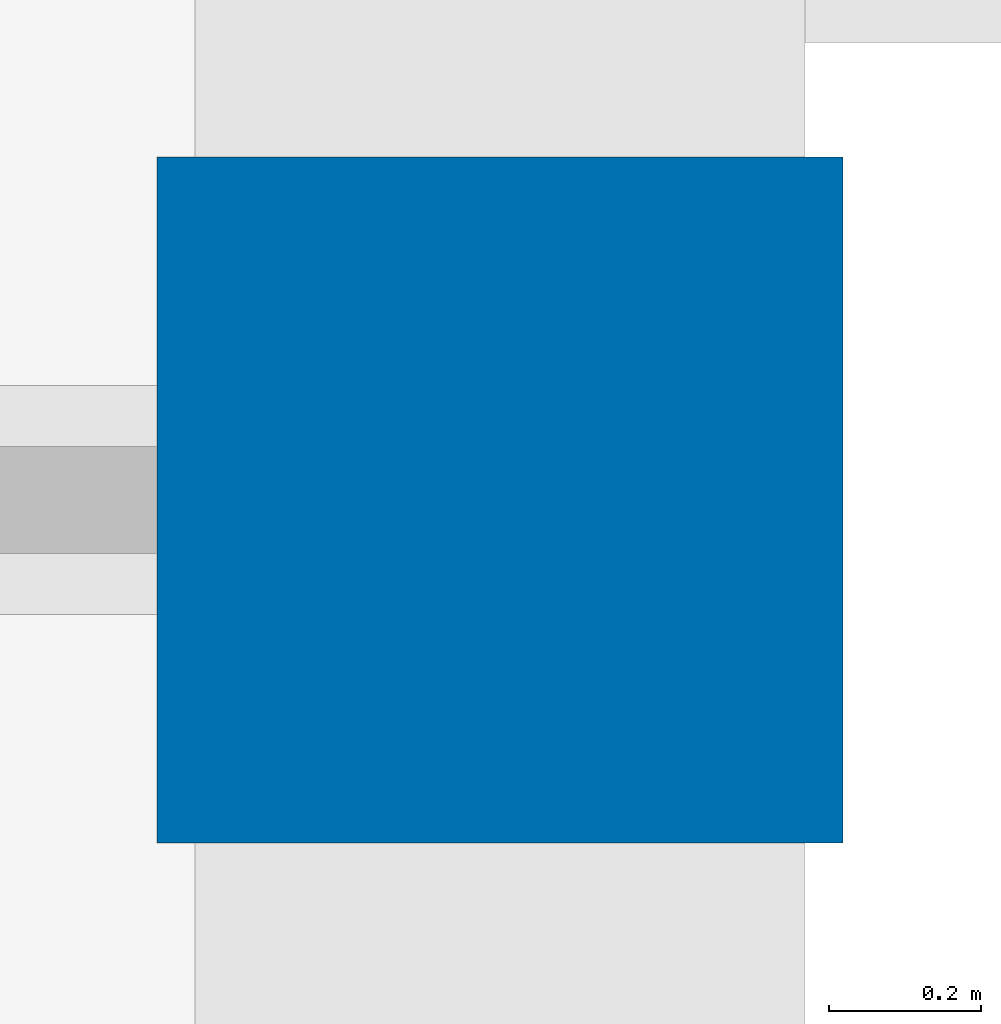
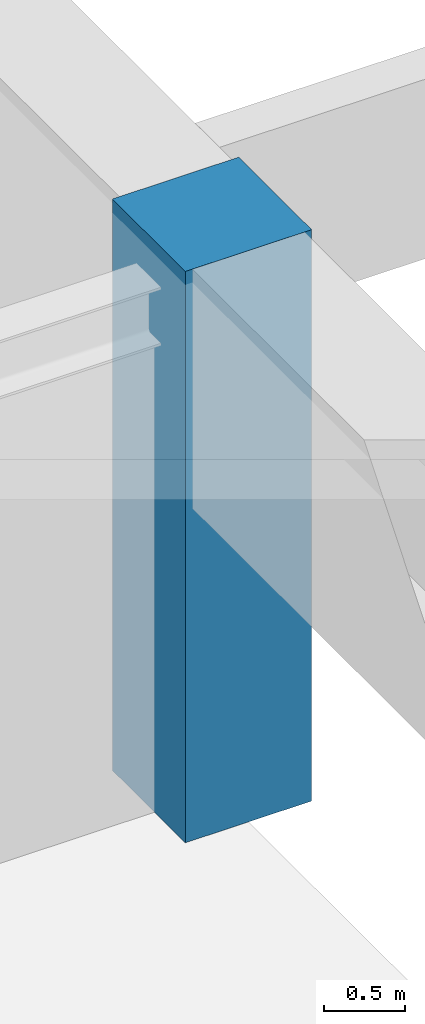
# One storey, part 11 of 111: 1 column.
"""IFC4 building model written with IfcOpenShell, lengths in metres."""

import ifcopenshell
import ifcopenshell.guid

model = None  # the IFC model being written
_history = None  # IfcOwnerHistory: only IFC2X3 demands one
_inside = {}  # id of a spatial element -> (the spatial element, [elements in it])
_under = {}  # id of a project, library or spatial element -> (it, [spatial elements below it])
_declared = {}  # id of a project -> (the project, [libraries it declares])
_typed = {}  # id of a type object -> (the type object, [elements of that type])
_made_of = {}  # id of a material, layer set ... -> (it, [elements and type objects made of it])


def new_model(schema):
    """Start an empty IFC model of exactly this schema.

    Asked for "IFC4X3", IfcOpenShell would pick the latest addendum, in which some entities
    have other attributes; the version numbers below select the first issue.
    IFC2X3 requires an IfcOwnerHistory on every rooted entity: one is made here for all.
    """
    global model, _history
    if schema == "IFC4X3":
        model = ifcopenshell.file(schema_version=(4, 3, 0, 0))
    else:
        model = ifcopenshell.file(schema=schema)
    _inside.clear()
    _under.clear()
    _declared.clear()
    _typed.clear()
    _made_of.clear()
    _history = None
    if model.schema == "IFC2X3":
        org = make("IfcOrganization", Name="unknown")
        user = make(
            "IfcPersonAndOrganization",
            ThePerson=make("IfcPerson", FamilyName="unknown"),
            TheOrganization=org,
        )
        app = make(
            "IfcApplication",
            ApplicationDeveloper=org,
            Version="unknown",
            ApplicationFullName="unknown",
            ApplicationIdentifier="unknown",
        )
        _history = make(
            "IfcOwnerHistory",
            OwningUser=user,
            OwningApplication=app,
            ChangeAction="ADDED",
            CreationDate=0,
        )
    return model


def make(cls, **values):
    """One entity of the class cls with the attributes given. An attribute that is None is left unset."""
    return model.create_entity(
        cls, **{name: value for name, value in values.items() if value is not None}
    )


def rooted(cls, **values):
    """An entity with a GlobalId (a new one), such as an element, a storey or a relation."""
    return make(cls, GlobalId=ifcopenshell.guid.new(), OwnerHistory=_history, **values)


def si_unit(unit_type, name, prefix=None):
    """IfcSIUnit, for example si_unit("LENGTHUNIT", "METRE", prefix="MILLI")."""
    return make("IfcSIUnit", UnitType=unit_type, Prefix=prefix, Name=name)


def assignment(units):
    """IfcUnitAssignment: the units of a project."""
    return None if units is None else make("IfcUnitAssignment", Units=units)


def point(xyz):
    """IfcCartesianPoint."""
    return None if xyz is None else make("IfcCartesianPoint", Coordinates=xyz)


def direction(xyz):
    """IfcDirection."""
    return None if xyz is None else make("IfcDirection", DirectionRatios=xyz)


def frame(location, z_axis=None, x_axis=None):
    """IfcAxis2Placement3D, a coordinate frame: its origin and axes. An axis left out is left unset."""
    return make(
        "IfcAxis2Placement3D",
        Location=point(location),
        Axis=direction(z_axis),
        RefDirection=direction(x_axis),
    )


def frame_2d(location, x_axis=None):
    """IfcAxis2Placement2D, a coordinate frame in the plane: its origin and x axis."""
    return make(
        "IfcAxis2Placement2D", Location=point(location), RefDirection=direction(x_axis)
    )


def origin():
    """The frame at (0, 0, 0) with its axes left unset."""
    return frame((0.0, 0.0, 0.0))


def origin_2d():
    """The frame at (0, 0) in the plane with its x axis left unset."""
    return frame_2d((0.0, 0.0))


def place(relative_to, where):
    """IfcLocalPlacement: puts the frame where relative to a parent placement (None: the world)."""
    return make(
        "IfcLocalPlacement", PlacementRelTo=relative_to, RelativePlacement=where
    )


def context(
    kind, dimensions, precision=None, world=None, true_north=None, identifier=None
):
    """IfcGeometricRepresentationContext, for example the 3D "Model" context."""
    return make(
        "IfcGeometricRepresentationContext",
        ContextIdentifier=identifier,
        ContextType=kind,
        CoordinateSpaceDimension=dimensions,
        Precision=precision,
        WorldCoordinateSystem=world,
        TrueNorth=true_north,
    )


def subcontext(parent, identifier, kind, view, scale=None):
    """IfcGeometricRepresentationSubContext, for example "Body" below "Model"."""
    return make(
        "IfcGeometricRepresentationSubContext",
        ContextIdentifier=identifier,
        ContextType=kind,
        ParentContext=parent,
        TargetScale=scale,
        TargetView=view,
    )


def project(units=None, contexts=None):
    """IfcProject with its units and contexts."""
    return rooted(
        "IfcProject",
        Name="project",
        RepresentationContexts=contexts,
        UnitsInContext=assignment(units),
    )


def spatial(cls, under=None, at=None, **own):
    """A site, building, storey or space (cls), placed at a placement, below another one or the project."""
    s = rooted(cls, ObjectPlacement=at, **own)
    if under is not None:
        _under.setdefault(under.id(), (under, []))[1].append(s)
    return s


def profile(cls, at=None, kind="AREA", **sizes):
    """A parametric profile (cls). Its sizes go by their IFC names, for example OverallWidth=200.0."""
    return make(cls, ProfileType=kind, Position=at, **sizes)


def rectangle(**sizes):
    """IfcRectangleProfileDef."""
    return profile("IfcRectangleProfileDef", **sizes)


def extrude(swept, where, along, depth):
    """IfcExtrudedAreaSolid: the profile swept, set in the frame where, extruded along a direction by depth."""
    return make(
        "IfcExtrudedAreaSolid",
        SweptArea=swept,
        Position=where,
        ExtrudedDirection=direction(along),
        Depth=depth,
    )


def shape(context_of_items, identifier, shape_type, items):
    """IfcShapeRepresentation: the items that make up one representation, for example the "Body"."""
    return make(
        "IfcShapeRepresentation",
        ContextOfItems=context_of_items,
        RepresentationIdentifier=identifier,
        RepresentationType=shape_type,
        Items=items,
    )


def material(Name=None, Category=None):
    """IfcMaterial."""
    return make("IfcMaterial", Name=Name, Category=Category)


def material_profile(
    of_material, cross_section, Name=None, Category=None, Priority=None
):
    """IfcMaterialProfile: a cross section and its material."""
    return make(
        "IfcMaterialProfile",
        Name=Name,
        Material=of_material,
        Profile=cross_section,
        Priority=Priority,
        Category=Category,
    )


def profile_set(profiles, Name=None, composite=None):
    """IfcMaterialProfileSet."""
    return make(
        "IfcMaterialProfileSet",
        Name=Name,
        MaterialProfiles=profiles,
        CompositeProfile=composite,
    )


def made_of(thing, what):
    """Note that an element or type object is made of a material, layer set ...; save() writes the relation."""
    if what is not None:
        _made_of.setdefault(what.id(), (what, []))[1].append(thing)
    return thing


def type_object(cls, material=None, **own):
    """A type object (cls), such as IfcWallType, which elements share."""
    return made_of(rooted(cls, **own), material)


def element(
    cls,
    number,
    at=None,
    inside=None,
    cuts=None,
    type_object=None,
    material=None,
    context=None,
    identifier="Body",
    shape_type=None,
    held_by="IfcProductDefinitionShape",
    body=None,
    shapes=None,
    **own,
):
    """One element of the class cls, such as IfcWall. Its Tag is "e" and its number.

    at: its placement. inside: the storey or other place that contains it. cuts: it is an
    opening in that element (IfcRelVoidsElement). A single representation is given by context,
    identifier, shape_type and body (its items); several are given by shapes. held_by: the class
    of the entity that holds the representations. save() writes the other relations.
    """
    e = rooted(cls, Tag="e%d" % number, ObjectPlacement=at, **own)
    if body is not None:
        shapes = [shape(context, identifier, shape_type, body)]
    if shapes is not None:
        e.Representation = make(held_by, Representations=shapes)
    if inside is not None:
        _inside.setdefault(inside.id(), (inside, []))[1].append(e)
    if cuts is not None:
        rooted(
            "IfcRelVoidsElement", RelatingBuildingElement=cuts, RelatedOpeningElement=e
        )
    if type_object is not None:
        _typed.setdefault(type_object.id(), (type_object, []))[1].append(e)
    return made_of(e, material)


def aggregate(whole, parts):
    """IfcRelAggregates: a whole, such as a stair, and the parts it consists of."""
    return rooted("IfcRelAggregates", RelatingObject=whole, RelatedObjects=parts)


def save(model, path):
    """Write the relations noted so far, then the file.

    IfcRelAggregates (storeys below a building ...), IfcRelContainedInSpatialStructure (elements
    in a storey), IfcRelDefinesByType, IfcRelAssociatesMaterial and IfcRelDeclares: one each for
    every whole, place, type object, material and project.
    """
    for whole, parts in _under.values():
        aggregate(whole, parts)
    for where, things in _inside.values():
        rooted(
            "IfcRelContainedInSpatialStructure",
            RelatedElements=things,
            RelatingStructure=where,
        )
    for kind, things in _typed.values():
        rooted("IfcRelDefinesByType", RelatedObjects=things, RelatingType=kind)
    for what, things in _made_of.values():
        rooted("IfcRelAssociatesMaterial", RelatedObjects=things, RelatingMaterial=what)
    for by, libraries in _declared.values():
        rooted("IfcRelDeclares", RelatingContext=by, RelatedDefinitions=libraries)
    model.write(path)


model = new_model("IFC4")

# Units and contexts
model_context = context("Model", 3, precision=1e-05, world=origin(), true_north=direction((0.0, 1.0)))
body_context = subcontext(model_context, "Body", "Model", "MODEL_VIEW")
ifc_project = project(units=[si_unit("LENGTHUNIT", "METRE"), si_unit("AREAUNIT", "SQUARE_METRE"), si_unit("VOLUMEUNIT", "CUBIC_METRE"), si_unit("PLANEANGLEUNIT", "RADIAN"), si_unit("MASSUNIT", "GRAM", prefix="KILO")], contexts=[model_context])

# Site, building, storey
site_placement = place(None, origin())
site = spatial("IfcSite", under=ifc_project, at=site_placement, CompositionType="ELEMENT")
building_placement = place(site_placement, origin())
building = spatial("IfcBuilding", under=site, at=building_placement, Name="Zlatovratsky Civic Hall", CompositionType="ELEMENT")
storey_placement = place(building_placement, frame((0.0, 0.0, 16.5)))
storey = spatial("IfcBuildingStorey", under=building, at=storey_placement, Name="L04", CompositionType="ELEMENT", Elevation=16.5)

# Column
ifc_material = material(Name="Concrete C35/45 (B40)", Category="concrete")
ifc_material_profile = material_profile(ifc_material, rectangle(XDim=0.89990234375, YDim=0.89990234375, at=origin_2d()), Name="RC 900x900")
ifc_profile_set = profile_set([ifc_material_profile], Name="Concrete C35/45 (B40)")
column_type = type_object("IfcColumnType", Name="Col_ChamberPier_RC900", PredefinedType="COLUMN", material=ifc_profile_set)
column_placement = place(storey_placement, frame((66.0, 60.0, 0.0), z_axis=(0.0, 0.0, 1.0), x_axis=(1.0, 0.0, 0.0)))
element("IfcColumn", 1, at=column_placement, inside=storey, type_object=column_type, Name="CL-1703", PredefinedType="COLUMN", context=body_context, shape_type="SweptSolid", body=[
    extrude(rectangle(XDim=0.89990234375, YDim=0.89990234375, at=origin_2d()), origin(), (0.0, 0.0, 1.0), 4.300048828125),
])

save(model, "model.ifc")
